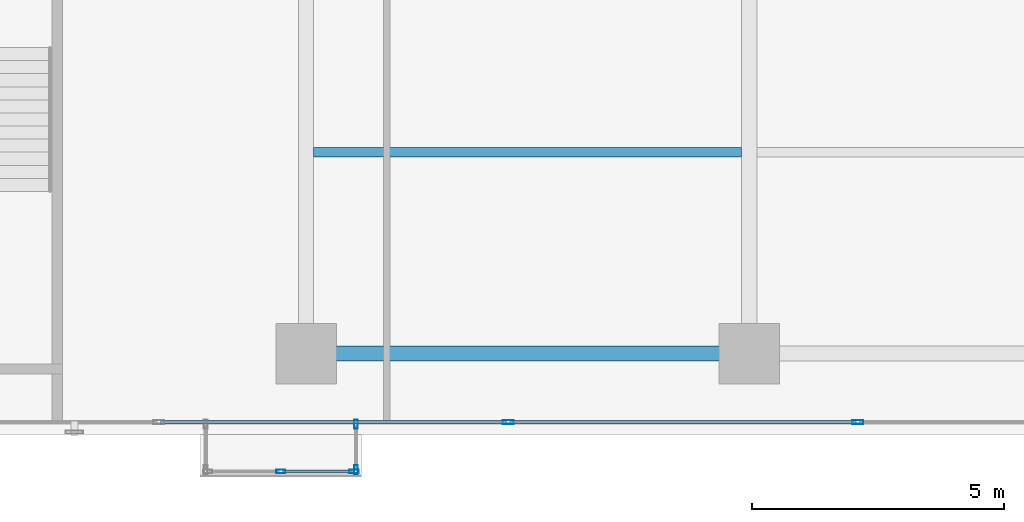
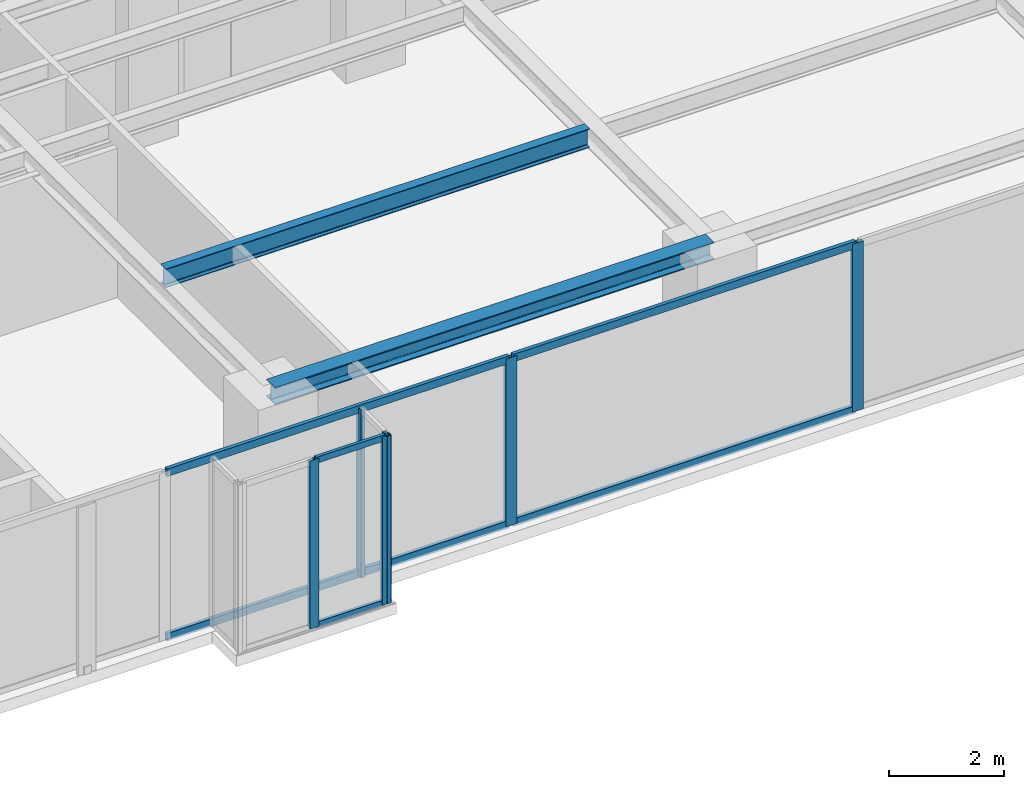
# One storey, part 11 of 27: 12 members, 2 beams, 3 elements without a shape of their own.
"""IFC4 building model written with IfcOpenShell, lengths in metres."""

import ifcopenshell
import ifcopenshell.guid

model = None  # the IFC model being written
_history = None  # IfcOwnerHistory: only IFC2X3 demands one
_inside = {}  # id of a spatial element -> (the spatial element, [elements in it])
_under = {}  # id of a project, library or spatial element -> (it, [spatial elements below it])
_declared = {}  # id of a project -> (the project, [libraries it declares])
_typed = {}  # id of a type object -> (the type object, [elements of that type])
_made_of = {}  # id of a material, layer set ... -> (it, [elements and type objects made of it])


def new_model(schema):
    """Start an empty IFC model of exactly this schema.

    Asked for "IFC4X3", IfcOpenShell would pick the latest addendum, in which some entities
    have other attributes; the version numbers below select the first issue.
    IFC2X3 requires an IfcOwnerHistory on every rooted entity: one is made here for all.
    """
    global model, _history
    if schema == "IFC4X3":
        model = ifcopenshell.file(schema_version=(4, 3, 0, 0))
    else:
        model = ifcopenshell.file(schema=schema)
    _inside.clear()
    _under.clear()
    _declared.clear()
    _typed.clear()
    _made_of.clear()
    _history = None
    if model.schema == "IFC2X3":
        org = make("IfcOrganization", Name="unknown")
        user = make(
            "IfcPersonAndOrganization",
            ThePerson=make("IfcPerson", FamilyName="unknown"),
            TheOrganization=org,
        )
        app = make(
            "IfcApplication",
            ApplicationDeveloper=org,
            Version="unknown",
            ApplicationFullName="unknown",
            ApplicationIdentifier="unknown",
        )
        _history = make(
            "IfcOwnerHistory",
            OwningUser=user,
            OwningApplication=app,
            ChangeAction="ADDED",
            CreationDate=0,
        )
    return model


def make(cls, **values):
    """One entity of the class cls with the attributes given. An attribute that is None is left unset."""
    return model.create_entity(
        cls, **{name: value for name, value in values.items() if value is not None}
    )


def rooted(cls, **values):
    """An entity with a GlobalId (a new one), such as an element, a storey or a relation."""
    return make(cls, GlobalId=ifcopenshell.guid.new(), OwnerHistory=_history, **values)


def si_unit(unit_type, name, prefix=None):
    """IfcSIUnit, for example si_unit("LENGTHUNIT", "METRE", prefix="MILLI")."""
    return make("IfcSIUnit", UnitType=unit_type, Prefix=prefix, Name=name)


def assignment(units):
    """IfcUnitAssignment: the units of a project."""
    return None if units is None else make("IfcUnitAssignment", Units=units)


def point(xyz):
    """IfcCartesianPoint."""
    return None if xyz is None else make("IfcCartesianPoint", Coordinates=xyz)


def direction(xyz):
    """IfcDirection."""
    return None if xyz is None else make("IfcDirection", DirectionRatios=xyz)


def frame(location, z_axis=None, x_axis=None):
    """IfcAxis2Placement3D, a coordinate frame: its origin and axes. An axis left out is left unset."""
    return make(
        "IfcAxis2Placement3D",
        Location=point(location),
        Axis=direction(z_axis),
        RefDirection=direction(x_axis),
    )


def frame_2d(location, x_axis=None):
    """IfcAxis2Placement2D, a coordinate frame in the plane: its origin and x axis."""
    return make(
        "IfcAxis2Placement2D", Location=point(location), RefDirection=direction(x_axis)
    )


def origin():
    """The frame at (0, 0, 0) with its axes left unset."""
    return frame((0.0, 0.0, 0.0))


def origin_with_axes():
    """The frame at (0, 0, 0) with the z axis (0, 0, 1) and the x axis (1, 0, 0) written out."""
    return frame((0.0, 0.0, 0.0), z_axis=(0.0, 0.0, 1.0), x_axis=(1.0, 0.0, 0.0))


def origin_2d():
    """The frame at (0, 0) in the plane with its x axis left unset."""
    return frame_2d((0.0, 0.0))


def place(relative_to, where):
    """IfcLocalPlacement: puts the frame where relative to a parent placement (None: the world)."""
    return make(
        "IfcLocalPlacement", PlacementRelTo=relative_to, RelativePlacement=where
    )


def context(
    kind, dimensions, precision=None, world=None, true_north=None, identifier=None
):
    """IfcGeometricRepresentationContext, for example the 3D "Model" context."""
    return make(
        "IfcGeometricRepresentationContext",
        ContextIdentifier=identifier,
        ContextType=kind,
        CoordinateSpaceDimension=dimensions,
        Precision=precision,
        WorldCoordinateSystem=world,
        TrueNorth=true_north,
    )


def subcontext(parent, identifier, kind, view, scale=None):
    """IfcGeometricRepresentationSubContext, for example "Body" below "Model"."""
    return make(
        "IfcGeometricRepresentationSubContext",
        ContextIdentifier=identifier,
        ContextType=kind,
        ParentContext=parent,
        TargetScale=scale,
        TargetView=view,
    )


def project(units=None, contexts=None):
    """IfcProject with its units and contexts."""
    return rooted(
        "IfcProject",
        Name="project",
        RepresentationContexts=contexts,
        UnitsInContext=assignment(units),
    )


def spatial(cls, under=None, at=None, **own):
    """A site, building, storey or space (cls), placed at a placement, below another one or the project."""
    s = rooted(cls, ObjectPlacement=at, **own)
    if under is not None:
        _under.setdefault(under.id(), (under, []))[1].append(s)
    return s


def profile(cls, at=None, kind="AREA", **sizes):
    """A parametric profile (cls). Its sizes go by their IFC names, for example OverallWidth=200.0."""
    return make(cls, ProfileType=kind, Position=at, **sizes)


def hollow_rectangle(**sizes):
    """IfcRectangleHollowProfileDef."""
    return profile("IfcRectangleHollowProfileDef", **sizes)


def i_section(**sizes):
    """IfcIShapeProfileDef."""
    return profile("IfcIShapeProfileDef", **sizes)


def extrude(swept, where, along, depth):
    """IfcExtrudedAreaSolid: the profile swept, set in the frame where, extruded along a direction by depth."""
    return make(
        "IfcExtrudedAreaSolid",
        SweptArea=swept,
        Position=where,
        ExtrudedDirection=direction(along),
        Depth=depth,
    )


def shape(context_of_items, identifier, shape_type, items):
    """IfcShapeRepresentation: the items that make up one representation, for example the "Body"."""
    return make(
        "IfcShapeRepresentation",
        ContextOfItems=context_of_items,
        RepresentationIdentifier=identifier,
        RepresentationType=shape_type,
        Items=items,
    )


def source(mapping_origin, context_of_items, identifier, shape_type, items):
    """IfcRepresentationMap: a shape defined once, which mapped items show again and again."""
    return make(
        "IfcRepresentationMap",
        MappingOrigin=mapping_origin,
        MappedRepresentation=shape(context_of_items, identifier, shape_type, items),
    )


def transform(
    local_origin,
    x_axis=None,
    y_axis=None,
    z_axis=None,
    scale=None,
    scale2=None,
    scale3=None,
    uniform=True,
):
    """IfcCartesianTransformationOperator3D, or its non-uniform kind. x_axis, y_axis, z_axis: its Axis1, 2, 3."""
    if uniform:
        return make(
            "IfcCartesianTransformationOperator3D",
            Axis1=direction(x_axis),
            Axis2=direction(y_axis),
            LocalOrigin=point(local_origin),
            Scale=scale,
            Axis3=direction(z_axis),
        )
    return make(
        "IfcCartesianTransformationOperator3DnonUniform",
        Axis1=direction(x_axis),
        Axis2=direction(y_axis),
        LocalOrigin=point(local_origin),
        Scale=scale,
        Axis3=direction(z_axis),
        Scale2=scale2,
        Scale3=scale3,
    )


def mapped(mapping_source, mapping_target):
    """IfcMappedItem: shows the shape of a source again, moved by a transform."""
    return make(
        "IfcMappedItem", MappingSource=mapping_source, MappingTarget=mapping_target
    )


def material(Name=None, Category=None):
    """IfcMaterial."""
    return make("IfcMaterial", Name=Name, Category=Category)


def layer(
    of_material, thickness, ventilated=None, Name=None, Category=None, Priority=None
):
    """IfcMaterialLayer: one layer of a wall or slab, of a material (None: an air gap)."""
    return make(
        "IfcMaterialLayer",
        Material=of_material,
        LayerThickness=thickness,
        IsVentilated=ventilated,
        Name=Name,
        Category=Category,
        Priority=Priority,
    )


def layer_set(layers, Name=None):
    """IfcMaterialLayerSet."""
    return make("IfcMaterialLayerSet", MaterialLayers=layers, LayerSetName=Name)


def material_profile(
    of_material, cross_section, Name=None, Category=None, Priority=None
):
    """IfcMaterialProfile: a cross section and its material."""
    return make(
        "IfcMaterialProfile",
        Name=Name,
        Material=of_material,
        Profile=cross_section,
        Priority=Priority,
        Category=Category,
    )


def profile_set(profiles, Name=None, composite=None):
    """IfcMaterialProfileSet."""
    return make(
        "IfcMaterialProfileSet",
        Name=Name,
        MaterialProfiles=profiles,
        CompositeProfile=composite,
    )


def made_of(thing, what):
    """Note that an element or type object is made of a material, layer set ...; save() writes the relation."""
    if what is not None:
        _made_of.setdefault(what.id(), (what, []))[1].append(thing)
    return thing


def type_object(cls, material=None, **own):
    """A type object (cls), such as IfcWallType, which elements share."""
    return made_of(rooted(cls, **own), material)


def element(
    cls,
    number,
    at=None,
    inside=None,
    cuts=None,
    type_object=None,
    material=None,
    context=None,
    identifier="Body",
    shape_type=None,
    held_by="IfcProductDefinitionShape",
    body=None,
    shapes=None,
    **own,
):
    """One element of the class cls, such as IfcWall. Its Tag is "e" and its number.

    at: its placement. inside: the storey or other place that contains it. cuts: it is an
    opening in that element (IfcRelVoidsElement). A single representation is given by context,
    identifier, shape_type and body (its items); several are given by shapes. held_by: the class
    of the entity that holds the representations. save() writes the other relations.
    """
    e = rooted(cls, Tag="e%d" % number, ObjectPlacement=at, **own)
    if body is not None:
        shapes = [shape(context, identifier, shape_type, body)]
    if shapes is not None:
        e.Representation = make(held_by, Representations=shapes)
    if inside is not None:
        _inside.setdefault(inside.id(), (inside, []))[1].append(e)
    if cuts is not None:
        rooted(
            "IfcRelVoidsElement", RelatingBuildingElement=cuts, RelatedOpeningElement=e
        )
    if type_object is not None:
        _typed.setdefault(type_object.id(), (type_object, []))[1].append(e)
    return made_of(e, material)


def aggregate(whole, parts):
    """IfcRelAggregates: a whole, such as a stair, and the parts it consists of."""
    return rooted("IfcRelAggregates", RelatingObject=whole, RelatedObjects=parts)


def save(model, path):
    """Write the relations noted so far, then the file.

    IfcRelAggregates (storeys below a building ...), IfcRelContainedInSpatialStructure (elements
    in a storey), IfcRelDefinesByType, IfcRelAssociatesMaterial and IfcRelDeclares: one each for
    every whole, place, type object, material and project.
    """
    for whole, parts in _under.values():
        aggregate(whole, parts)
    for where, things in _inside.values():
        rooted(
            "IfcRelContainedInSpatialStructure",
            RelatedElements=things,
            RelatingStructure=where,
        )
    for kind, things in _typed.values():
        rooted("IfcRelDefinesByType", RelatedObjects=things, RelatingType=kind)
    for what, things in _made_of.values():
        rooted("IfcRelAssociatesMaterial", RelatedObjects=things, RelatingMaterial=what)
    for by, libraries in _declared.values():
        rooted("IfcRelDeclares", RelatingContext=by, RelatedDefinitions=libraries)
    model.write(path)


model = new_model("IFC4")

# Units and contexts
model_context = context("Model", 3, precision=1e-05, world=origin(), true_north=direction((0.0, 1.0)))
body_context = subcontext(model_context, "Body", "Model", "MODEL_VIEW")
ifc_project = project(units=[si_unit("LENGTHUNIT", "METRE"), si_unit("AREAUNIT", "SQUARE_METRE"), si_unit("VOLUMEUNIT", "CUBIC_METRE"), si_unit("PLANEANGLEUNIT", "RADIAN"), si_unit("MASSUNIT", "GRAM", prefix="KILO")], contexts=[model_context])

# Site, building, storey
site_placement = place(None, origin())
site = spatial("IfcSite", under=ifc_project, at=site_placement, CompositionType="ELEMENT")
building_placement = place(site_placement, origin())
building = spatial("IfcBuilding", under=site, at=building_placement, Name="Kolvaren Waterfront Exchange", CompositionType="ELEMENT")
storey_placement = place(building_placement, frame((0.0, 0.0, 176.60009765625)))
storey = spatial("IfcBuildingStorey", under=building, at=storey_placement, Name="L45", CompositionType="ELEMENT", Elevation=176.60009765625)

# Beams
ifc_material_1 = material(Name="Steel S355", Category="steel")
ifc_material_profile_1 = material_profile(ifc_material_1, i_section(OverallWidth=0.300048828125, OverallDepth=0.360107421875, WebThickness=0.012451171875, FlangeThickness=0.0224609375, FilletRadius=0.027099609375, at=origin_2d()), Name="HEB360")
ifc_profile_set_1 = profile_set([ifc_material_profile_1], Name="Steel S355")
beam_type_1 = type_object("IfcBeamType", Name="STR-BM-HEB360", PredefinedType="SPANDREL", material=ifc_profile_set_1)
beam_1_placement = place(storey_placement, frame((36.800048828125, 5.199951171875, 3.3798828125), z_axis=(1.0, 0.0, 0.0), x_axis=(0.0, 1.0, 0.0)))
element("IfcBeam", 1, at=beam_1_placement, inside=storey, type_object=beam_type_1, Name="L45 east-arm spandrel S3", PredefinedType="SPANDREL", context=body_context, shape_type="SweptSolid", body=[
    extrude(i_section(OverallWidth=0.300048828125, OverallDepth=0.360107421875, WebThickness=0.012451171875, FlangeThickness=0.0224609375, FilletRadius=0.027099609375, at=origin_2d()), origin(), (0.0, 0.0, 1.0), 8.800048828125),
])
ifc_material_profile_2 = material_profile(ifc_material_1, i_section(OverallWidth=0.179931640625, OverallDepth=0.39990234375, WebThickness=0.008544921875, FlangeThickness=0.013427734375, FilletRadius=0.02099609375, at=origin_2d()), Name="IPE400")
ifc_profile_set_2 = profile_set([ifc_material_profile_2], Name="Steel S355")
beam_type_2 = type_object("IfcBeamType", Name="STR-BM-IPE400", PredefinedType="JOIST", material=ifc_profile_set_2)
beam_2_placement = place(storey_placement, frame((36.951904296875, 9.199951171875, 3.35986328125), z_axis=(1.0, 0.0, 0.0), x_axis=(0.0, 1.0, 0.0)))
element("IfcBeam", 2, at=beam_2_placement, inside=storey, type_object=beam_type_2, Name="L45 east-arm composite joist 3B", PredefinedType="JOIST", context=body_context, shape_type="SweptSolid", body=[
    extrude(i_section(OverallWidth=0.179931640625, OverallDepth=0.39990234375, WebThickness=0.008544921875, FlangeThickness=0.013427734375, FilletRadius=0.02099609375, at=origin_2d()), origin(), (0.0, 0.0, 1.0), 8.49609375),
])

# Curtain wall, members
ifc_material_2 = material(Name="Anodised bronze aluminium 6063-T6", Category="aluminium")
ifc_layer_1 = layer(ifc_material_2, 0.219970703125, Name="Anodised bronze aluminium 6063-T6")
ifc_layer_set_1 = layer_set([ifc_layer_1], Name="Anodised bronze aluminium 6063-T6")
curtain_wall_type_1 = type_object("IfcCurtainWallType", Name="ARC-CW-SYS3", PredefinedType="USERDEFINED", material=ifc_layer_set_1)
curtain_wall_1_placement = place(storey_placement, origin())
curtain_wall_1 = element("IfcCurtainWall", 3, at=curtain_wall_1_placement, inside=storey, type_object=curtain_wall_type_1, Name="L45 stick curtain wall CW3 (CW-L45-BOX)", ObjectType="STICK CURTAIN WALL", PredefinedType="USERDEFINED")
ifc_material_profile_3 = material_profile(ifc_material_2, hollow_rectangle(XDim=0.06494140625, YDim=0.1298828125, WallThickness=0.00390625, at=origin_2d()), Name="ALU-TRN-130x65x4")
ifc_profile_set_3 = profile_set([ifc_material_profile_3], Name="Anodised bronze aluminium 6063-T6")
member_type_1 = type_object("IfcMemberType", Name="ARC-CWT-130", PredefinedType="USERDEFINED", material=ifc_profile_set_3)
shared_shape_1 = source(origin_with_axes(), body_context, "Body", "SweptSolid", [
    extrude(hollow_rectangle(XDim=0.06494140625, YDim=0.1298828125, WallThickness=0.00390625, at=origin_2d()), origin(), (0.0, 0.0, 1.0), 1.377685546875),
])
member_1_placement = place(storey_placement, frame((36.33740234375, 2.860107421875, 0.032470703125), z_axis=(1.0, 0.0, 0.0), x_axis=(0.0, 1.0, 0.0)))
member_1 = element("IfcMember", 4, at=member_1_placement, type_object=member_type_1, Name="CW3 transom 2.1", ObjectType="TRANSOM", PredefinedType="USERDEFINED", context=body_context, shape_type="MappedRepresentation", body=[
    mapped(shared_shape_1, transform((0.0, 0.0, 0.0), x_axis=(1.0, 0.0, 0.0), y_axis=(0.0, 1.0, 0.0), z_axis=(0.0, 0.0, 1.0), scale=1.0)),
])
member_2_placement = place(storey_placement, frame((36.33740234375, 2.860107421875, 3.52734375), z_axis=(1.0, 0.0, 0.0), x_axis=(0.0, 1.0, 0.0)))
member_2 = element("IfcMember", 5, at=member_2_placement, type_object=member_type_1, Name="CW3 transom 2.2", ObjectType="TRANSOM", PredefinedType="USERDEFINED", context=body_context, shape_type="MappedRepresentation", body=[
    mapped(shared_shape_1, transform((0.0, 0.0, 0.0), x_axis=(1.0, 0.0, 0.0), y_axis=(0.0, 1.0, 0.0), z_axis=(0.0, 0.0, 1.0), scale=1.0)),
])

ifc_layer_2 = layer(ifc_material_2, 0.219970703125, Name="Anodised bronze aluminium 6063-T6")
ifc_layer_set_2 = layer_set([ifc_layer_2], Name="Anodised bronze aluminium 6063-T6")
curtain_wall_type_2 = type_object("IfcCurtainWallType", Name="ARC-CW-SYS1", PredefinedType="USERDEFINED", material=ifc_layer_set_2)
curtain_wall_2_placement = place(storey_placement, origin())
curtain_wall_2 = element("IfcCurtainWall", 6, at=curtain_wall_2_placement, inside=storey, type_object=curtain_wall_type_2, Name="L45 stick curtain wall CW1 (CW-L45-S)", ObjectType="STICK CURTAIN WALL", PredefinedType="USERDEFINED")
ifc_material_3 = material(Name="Anodised aluminium 6063-T6", Category="aluminium")
ifc_material_profile_4 = material_profile(ifc_material_3, hollow_rectangle(XDim=0.074951171875, YDim=0.159912109375, WallThickness=0.00439453125, at=origin_2d()), Name="ALU-TRN-160x75x4.5")
ifc_profile_set_4 = profile_set([ifc_material_profile_4], Name="Anodised aluminium 6063-T6")
member_type_2 = type_object("IfcMemberType", Name="ARC-CWT-160", PredefinedType="USERDEFINED", material=ifc_profile_set_4)
shared_shape_2 = source(origin_with_axes(), body_context, "Body", "SweptSolid", [
    extrude(hollow_rectangle(XDim=0.074951171875, YDim=0.159912109375, WallThickness=0.00439453125, at=origin_2d()), origin(), (0.0, 0.0, 1.0), 6.86279296875),
])
member_3_placement = place(storey_placement, frame((33.911376953125, 3.840087890625, 0.037353515625), z_axis=(1.0, 0.0, 0.0), x_axis=(0.0, 1.0, 0.0)))
member_3 = element("IfcMember", 7, at=member_3_placement, type_object=member_type_2, Name="CW1 transom 5.1", ObjectType="TRANSOM", PredefinedType="USERDEFINED", context=body_context, shape_type="MappedRepresentation", body=[
    mapped(shared_shape_2, transform((0.0, 0.0, 0.0), x_axis=(1.0, 0.0, 0.0), y_axis=(0.0, 1.0, 0.0), z_axis=(0.0, 0.0, 1.0), scale=1.0)),
])
member_4_placement = place(storey_placement, frame((33.911376953125, 3.840087890625, 3.5224609375), z_axis=(1.0, 0.0, 0.0), x_axis=(0.0, 1.0, 0.0)))
member_4 = element("IfcMember", 8, at=member_4_placement, type_object=member_type_2, Name="CW1 transom 5.2", ObjectType="TRANSOM", PredefinedType="USERDEFINED", context=body_context, shape_type="MappedRepresentation", body=[
    mapped(shared_shape_2, transform((0.0, 0.0, 0.0), x_axis=(1.0, 0.0, 0.0), y_axis=(0.0, 1.0, 0.0), z_axis=(0.0, 0.0, 1.0), scale=1.0)),
])
member_5_placement = place(storey_placement, frame((40.854248046875, 3.840087890625, 0.037353515625), z_axis=(1.0, 0.0, 0.0), x_axis=(0.0, 1.0, 0.0)))
member_5 = element("IfcMember", 9, at=member_5_placement, type_object=member_type_2, Name="CW1 transom 6.1", ObjectType="TRANSOM", PredefinedType="USERDEFINED", context=body_context, shape_type="MappedRepresentation", body=[
    mapped(shared_shape_2, transform((0.0, 0.0, 0.0), x_axis=(1.0, 0.0, 0.0), y_axis=(0.0, 1.0, 0.0), z_axis=(0.0, 0.0, 1.0), scale=1.0)),
])
member_6_placement = place(storey_placement, frame((40.854248046875, 3.840087890625, 3.5224609375), z_axis=(1.0, 0.0, 0.0), x_axis=(0.0, 1.0, 0.0)))
member_6 = element("IfcMember", 10, at=member_6_placement, type_object=member_type_2, Name="CW1 transom 6.2", ObjectType="TRANSOM", PredefinedType="USERDEFINED", context=body_context, shape_type="MappedRepresentation", body=[
    mapped(shared_shape_2, transform((0.0, 0.0, 0.0), x_axis=(1.0, 0.0, 0.0), y_axis=(0.0, 1.0, 0.0), z_axis=(0.0, 0.0, 1.0), scale=1.0)),
])

# Member
ifc_material_profile_5 = material_profile(ifc_material_2, hollow_rectangle(XDim=0.074951171875, YDim=0.179931640625, WallThickness=0.00439453125, at=origin_2d()), Name="ALU-MUL-180x75x4.5")
ifc_profile_set_5 = profile_set([ifc_material_profile_5], Name="Anodised bronze aluminium 6063-T6")
member_type_3 = type_object("IfcMemberType", Name="ARC-CWM-180", PredefinedType="MULLION", material=ifc_profile_set_5)
shared_shape_3 = source(origin_with_axes(), body_context, "Body", "SweptSolid", [
    extrude(hollow_rectangle(XDim=0.074951171875, YDim=0.179931640625, WallThickness=0.00439453125, at=origin_2d()), origin(), (0.0, 0.0, 1.0), 3.559814453125),
])
member_7_placement = place(storey_placement, frame((36.300048828125, 2.860107421875, 0.0), z_axis=(0.0, 0.0, 1.0), x_axis=(0.0, 1.0, 0.0)))
member_7 = element("IfcMember", 11, at=member_7_placement, type_object=member_type_3, Name="CW3 mullion 2", PredefinedType="MULLION", context=body_context, shape_type="MappedRepresentation", body=[
    mapped(shared_shape_3, transform((0.0, 0.0, 0.0), x_axis=(1.0, 0.0, 0.0), y_axis=(0.0, 1.0, 0.0), z_axis=(0.0, 0.0, 1.0), scale=1.0)),
])

member_8_placement = place(storey_placement, frame((37.75244140625, 2.860107421875, 0.0), z_axis=(0.0, 0.0, 1.0), x_axis=(0.0, 1.0, 0.0)))
member_8 = element("IfcMember", 12, at=member_8_placement, type_object=member_type_3, Name="CW3 mullion 3", PredefinedType="MULLION", context=body_context, shape_type="MappedRepresentation", body=[
    mapped(shared_shape_3, transform((0.0, 0.0, 0.0), x_axis=(1.0, 0.0, 0.0), y_axis=(0.0, 1.0, 0.0), z_axis=(0.0, 0.0, 1.0), scale=1.0)),
])

aggregate(curtain_wall_1, [member_7, member_8, member_1, member_2])

# Curtain wall, members
curtain_wall_3_placement = place(storey_placement, origin())
curtain_wall_3 = element("IfcCurtainWall", 13, at=curtain_wall_3_placement, inside=storey, type_object=curtain_wall_type_1, Name="L45 stick curtain wall CW3 (CW-L45-BOX-E)", ObjectType="STICK CURTAIN WALL", PredefinedType="USERDEFINED")
member_9_placement = place(storey_placement, frame((37.7900390625, 2.8974609375, 0.0), z_axis=(0.0, 0.0, 1.0), x_axis=(-1.0, 0.0, 0.0)))
member_9 = element("IfcMember", 14, at=member_9_placement, type_object=member_type_3, Name="CW3 mullion 1", PredefinedType="MULLION", context=body_context, shape_type="MappedRepresentation", body=[
    mapped(shared_shape_3, transform((0.0, 0.0, 0.0), x_axis=(1.0, 0.0, 0.0), y_axis=(0.0, 1.0, 0.0), z_axis=(0.0, 0.0, 1.0), scale=1.0)),
])
member_10_placement = place(storey_placement, frame((37.7900390625, 3.802490234375, 0.0), z_axis=(0.0, 0.0, 1.0), x_axis=(-1.0, 0.0, 0.0)))
member_10 = element("IfcMember", 15, at=member_10_placement, type_object=member_type_3, Name="CW3 mullion 2", PredefinedType="MULLION", context=body_context, shape_type="MappedRepresentation", body=[
    mapped(shared_shape_3, transform((0.0, 0.0, 0.0), x_axis=(1.0, 0.0, 0.0), y_axis=(0.0, 1.0, 0.0), z_axis=(0.0, 0.0, 1.0), scale=1.0)),
])
aggregate(curtain_wall_3, [member_9, member_10])

# Member
ifc_material_profile_6 = material_profile(ifc_material_3, hollow_rectangle(XDim=0.080078125, YDim=0.219970703125, WallThickness=0.0048828125, at=origin_2d()), Name="ALU-MUL-220x80x5")
ifc_profile_set_6 = profile_set([ifc_material_profile_6], Name="Anodised aluminium 6063-T6")
member_type_4 = type_object("IfcMemberType", Name="ARC-CWM-220", PredefinedType="MULLION", material=ifc_profile_set_6)
shared_shape_4 = source(origin_with_axes(), body_context, "Body", "SweptSolid", [
    extrude(hollow_rectangle(XDim=0.080078125, YDim=0.219970703125, WallThickness=0.0048828125, at=origin_2d()), origin(), (0.0, 0.0, 1.0), 3.559814453125),
])
member_11_placement = place(storey_placement, frame((40.814208984375, 3.840087890625, 0.0), z_axis=(0.0, 0.0, 1.0), x_axis=(0.0, 1.0, 0.0)))
member_11 = element("IfcMember", 16, at=member_11_placement, type_object=member_type_4, Name="CW1 mullion 6", PredefinedType="MULLION", context=body_context, shape_type="MappedRepresentation", body=[
    mapped(shared_shape_4, transform((0.0, 0.0, 0.0), x_axis=(1.0, 0.0, 0.0), y_axis=(0.0, 1.0, 0.0), z_axis=(0.0, 0.0, 1.0), scale=1.0)),
])

member_12_placement = place(storey_placement, frame((47.757080078125, 3.840087890625, 0.0), z_axis=(0.0, 0.0, 1.0), x_axis=(0.0, 1.0, 0.0)))
member_12 = element("IfcMember", 17, at=member_12_placement, type_object=member_type_4, Name="CW1 mullion 7", PredefinedType="MULLION", context=body_context, shape_type="MappedRepresentation", body=[
    mapped(shared_shape_4, transform((0.0, 0.0, 0.0), x_axis=(1.0, 0.0, 0.0), y_axis=(0.0, 1.0, 0.0), z_axis=(0.0, 0.0, 1.0), scale=1.0)),
])

aggregate(curtain_wall_2, [member_11, member_12, member_3, member_4, member_5, member_6])

save(model, "model.ifc")
